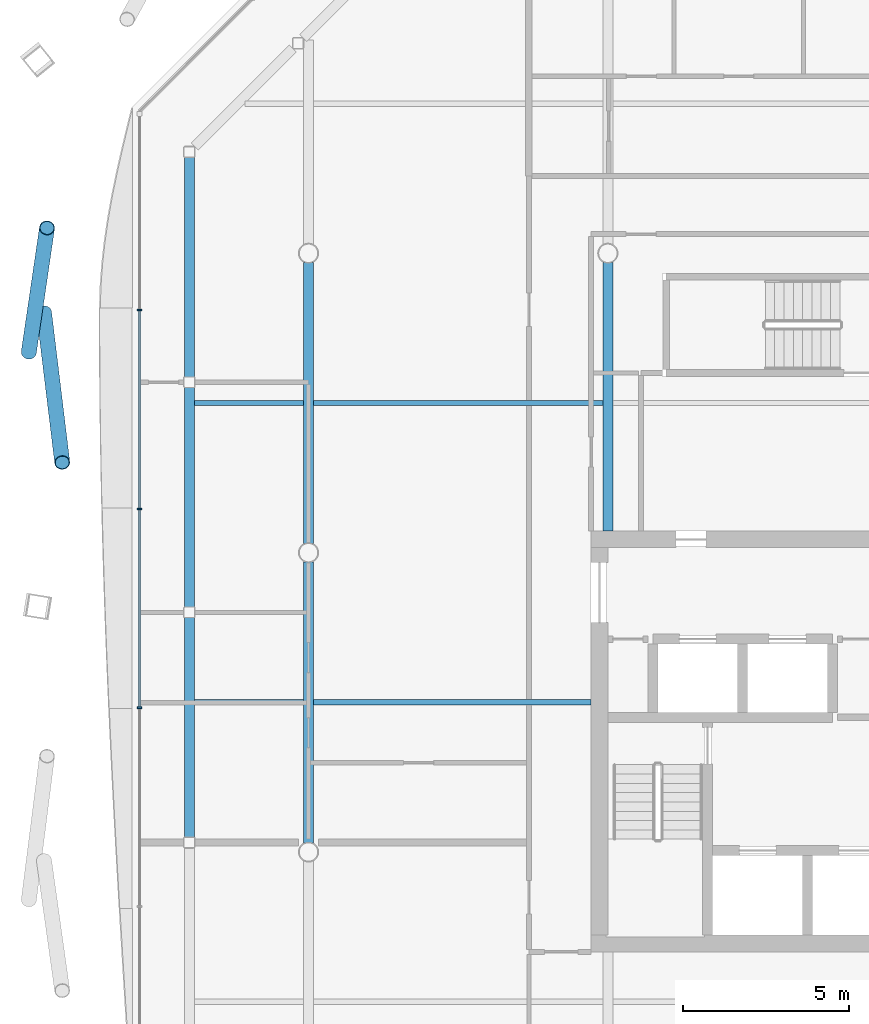
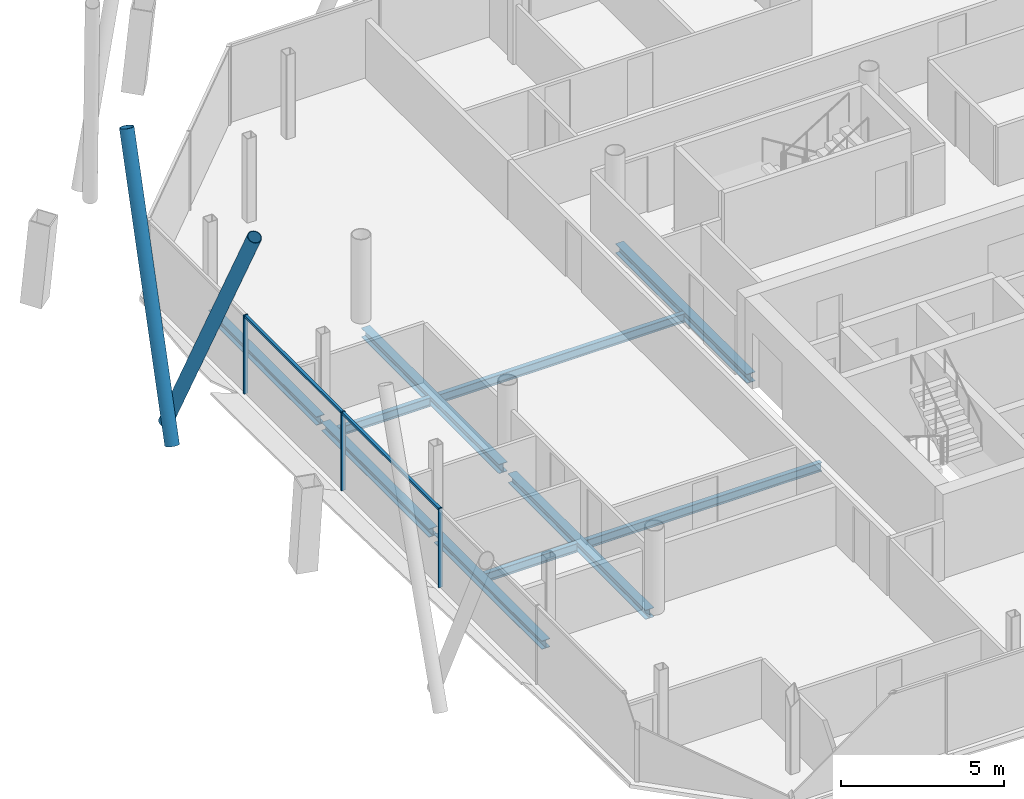
# One storey, part 5 of 19: 10 beams, 7 members, 1 element without a shape of its own.
"""IFC4 building model written with IfcOpenShell, lengths in metres."""

from ifc_helpers import new_model, si_unit, direction, frame, origin, origin_2d, place, context, subcontext, project, spatial, rectangle, hollow_circle, i_section, extrude, material, material_profile, profile_set, type_object, element, aggregate, save


model = new_model("IFC4")

# Units and contexts
model_context = context("Model", 3, precision=1e-05, world=origin(), true_north=direction((0.0, 1.0)))
body_context = subcontext(model_context, "Body", "Model", "MODEL_VIEW")
ifc_project = project(units=[si_unit("LENGTHUNIT", "METRE"), si_unit("AREAUNIT", "SQUARE_METRE"), si_unit("VOLUMEUNIT", "CUBIC_METRE"), si_unit("PLANEANGLEUNIT", "RADIAN"), si_unit("MASSUNIT", "GRAM", prefix="KILO")], contexts=[model_context])

# Site, building, storey
site_placement = place(None, origin())
site = spatial("IfcSite", under=ifc_project, at=site_placement, CompositionType="ELEMENT")
building_placement = place(site_placement, origin())
building = spatial("IfcBuilding", under=site, at=building_placement, Name="Tskaro Facet Tower", CompositionType="ELEMENT")
storey_placement = place(building_placement, frame((0.0, 0.0, 191.10009765625)))
storey = spatial("IfcBuildingStorey", under=building, at=storey_placement, Name="L48", CompositionType="ELEMENT", Elevation=191.10009765625)

# Members
ifc_material_1 = material(Name="Steel S355J2H", Category="steel")
ifc_material_profile_1 = material_profile(ifc_material_1, hollow_circle(Radius=0.228515625, WallThickness=0.02001953125, at=origin_2d()), Name="CHS 457x20")
ifc_profile_set_1 = profile_set([ifc_material_profile_1], Name="Steel S355J2H")
member_type_1 = type_object("IfcMemberType", Name="CHS 457x20 brace", PredefinedType="BRACE", material=ifc_profile_set_1)
member_1_placement = place(storey_placement, frame((-25.951904296875, 7.21142578125, 0.0), z_axis=(0.052242906414, -0.429519142743, 0.901545331498), x_axis=(0.992684007914, 0.120741295469, 0.0)))
element("IfcMember", 1, at=member_1_placement, inside=storey, type_object=member_type_1, Name="CHS 457x20 XB10A/4", PredefinedType="BRACE", context=body_context, shape_type="SweptSolid", body=[
    extrude(hollow_circle(Radius=0.228515625, WallThickness=0.02001953125, at=origin_2d()), origin(), (0.0, 0.0, 1.0), 10.48193359375),
])
member_2_placement = place(storey_placement, frame((-26.408935546875, 6.031494140625, 0.0), z_axis=(0.053817969941, 0.366840366664, 0.928725886092), x_axis=(-0.989409214742, 0.145153042623, 0.0)))
element("IfcMember", 2, at=member_2_placement, inside=storey, type_object=member_type_1, Name="CHS 457x20 XB10B/4", PredefinedType="BRACE", context=body_context, shape_type="SweptSolid", body=[
    extrude(hollow_circle(Radius=0.228515625, WallThickness=0.02001953125, at=origin_2d()), origin(), (0.0, 0.0, 1.0), 10.17529296875),
])

# Curtain wall, members
ifc_material_2 = material(Name="Bronze anodised aluminium 6063-T6", Category="aluminium")
curtain_wall_type = type_object("IfcCurtainWallType", Name="Bronze residence curtain wall (FW3)", PredefinedType="NOTDEFINED", material=ifc_material_2)
curtain_wall_placement = place(storey_placement, origin())
curtain_wall = element("IfcCurtainWall", 3, at=curtain_wall_placement, inside=storey, type_object=curtain_wall_type, Name="FW3 west facet L48", PredefinedType="NOTDEFINED")
ifc_material_profile_2 = material_profile(ifc_material_2, rectangle(XDim=0.050048828125, YDim=0.139892578125, at=origin_2d()), Name="Mullion 50x140")
ifc_profile_set_2 = profile_set([ifc_material_profile_2], Name="Bronze anodised aluminium 6063-T6")
member_type_2 = type_object("IfcMemberType", Name="FW3 bronze mullion 50x140", PredefinedType="MULLION", material=ifc_profile_set_2)
member_3_placement = place(storey_placement, frame((-23.080078125, 7.29248046875, 0.0), z_axis=(0.0, 0.0, 1.0), x_axis=(0.0, -1.0, 0.0)))
member_3 = element("IfcMember", 4, at=member_3_placement, type_object=member_type_2, Name="FW3 west mullion 1", PredefinedType="MULLION", context=body_context, shape_type="SweptSolid", body=[
    extrude(rectangle(XDim=0.050048828125, YDim=0.139892578125, at=origin_2d()), origin(), (0.0, 0.0, 1.0), 2.949951171875),
])
member_4_placement = place(storey_placement, frame((-23.080078125, 1.314697265625, 0.0), z_axis=(0.0, 0.0, 1.0), x_axis=(0.0, -1.0, 0.0)))
member_4 = element("IfcMember", 5, at=member_4_placement, type_object=member_type_2, Name="FW3 west mullion 2", PredefinedType="MULLION", context=body_context, shape_type="SweptSolid", body=[
    extrude(rectangle(XDim=0.050048828125, YDim=0.139892578125, at=origin_2d()), origin(), (0.0, 0.0, 1.0), 2.949951171875),
])
member_5_placement = place(storey_placement, frame((-23.080078125, -4.662841796875, 0.0), z_axis=(0.0, 0.0, 1.0), x_axis=(0.0, -1.0, 0.0)))
member_5 = element("IfcMember", 6, at=member_5_placement, type_object=member_type_2, Name="FW3 west mullion 3", PredefinedType="MULLION", context=body_context, shape_type="SweptSolid", body=[
    extrude(rectangle(XDim=0.050048828125, YDim=0.139892578125, at=origin_2d()), origin(), (0.0, 0.0, 1.0), 2.949951171875),
])
ifc_material_profile_3 = material_profile(ifc_material_2, rectangle(XDim=0.10009765625, YDim=0.090087890625, at=origin_2d()), Name="Transom 100x90")
ifc_profile_set_3 = profile_set([ifc_material_profile_3], Name="Bronze anodised aluminium 6063-T6")
member_type_3 = type_object("IfcMemberType", Name="FW3 bronze transom 100x90", PredefinedType="USERDEFINED", material=ifc_profile_set_3)
member_6_placement = place(storey_placement, frame((-23.080078125, 7.267333984375, 2.90478515625), z_axis=(0.0, -1.0, 0.0), x_axis=(1.0, 0.0, 0.0)))
member_6 = element("IfcMember", 7, at=member_6_placement, type_object=member_type_3, Name="FW3 west transom 2.1", ObjectType="TRANSOM", PredefinedType="USERDEFINED", context=body_context, shape_type="SweptSolid", body=[
    extrude(rectangle(XDim=0.10009765625, YDim=0.090087890625, at=origin_2d()), origin(), (0.0, 0.0, 1.0), 5.927490234375),
])
member_7_placement = place(storey_placement, frame((-23.080078125, 1.289794921875, 2.90478515625), z_axis=(0.0, -1.0, 0.0), x_axis=(1.0, 0.0, 0.0)))
member_7 = element("IfcMember", 8, at=member_7_placement, type_object=member_type_3, Name="FW3 west transom 3.1", ObjectType="TRANSOM", PredefinedType="USERDEFINED", context=body_context, shape_type="SweptSolid", body=[
    extrude(rectangle(XDim=0.10009765625, YDim=0.090087890625, at=origin_2d()), origin(), (0.0, 0.0, 1.0), 5.927490234375),
])
aggregate(curtain_wall, [member_3, member_4, member_5, member_6, member_7])

# Beams
ifc_material_3 = material(Name="Steel S355J2", Category="steel")
ifc_material_profile_4 = material_profile(ifc_material_3, i_section(OverallWidth=0.300048828125, OverallDepth=0.320068359375, WebThickness=0.011474609375, FlangeThickness=0.0205078125, FilletRadius=0.027099609375, at=origin_2d()), Name="HE 320 B")
ifc_profile_set_4 = profile_set([ifc_material_profile_4], Name="Steel S355J2")
beam_type_1 = type_object("IfcBeamType", Name="HE 320 B ring beam", PredefinedType="BEAM", material=ifc_profile_set_4)
beam_1_placement = place(storey_placement, frame((-21.5830078125, 11.89111328125, -0.300048828125), z_axis=(0.0, -1.0, 0.0), x_axis=(1.0, 0.0, 0.0)))
element("IfcBeam", 9, at=beam_1_placement, inside=storey, type_object=beam_type_1, Name="HE 320 B EB17-4", PredefinedType="BEAM", context=body_context, shape_type="SweptSolid", body=[
    extrude(i_section(OverallWidth=0.300048828125, OverallDepth=0.320068359375, WebThickness=0.011474609375, FlangeThickness=0.0205078125, FilletRadius=0.027099609375, at=origin_2d()), origin(), (0.0, 0.0, 1.0), 6.610107421875),
])
beam_2_placement = place(storey_placement, frame((-21.5830078125, 4.970947265625, -0.300048828125), z_axis=(0.0, -1.0, 0.0), x_axis=(1.0, 0.0, 0.0)))
element("IfcBeam", 10, at=beam_2_placement, inside=storey, type_object=beam_type_1, Name="HE 320 B EB18-4", PredefinedType="BEAM", context=body_context, shape_type="SweptSolid", body=[
    extrude(i_section(OverallWidth=0.300048828125, OverallDepth=0.320068359375, WebThickness=0.011474609375, FlangeThickness=0.0205078125, FilletRadius=0.027099609375, at=origin_2d()), origin(), (0.0, 0.0, 1.0), 6.60888671875),
])
beam_3_placement = place(storey_placement, frame((-21.5830078125, -1.947998046875, -0.300048828125), z_axis=(0.0, -1.0, 0.0), x_axis=(1.0, 0.0, 0.0)))
element("IfcBeam", 11, at=beam_3_placement, inside=storey, type_object=beam_type_1, Name="HE 320 B EB19-4", PredefinedType="BEAM", context=body_context, shape_type="SweptSolid", body=[
    extrude(i_section(OverallWidth=0.300048828125, OverallDepth=0.320068359375, WebThickness=0.011474609375, FlangeThickness=0.0205078125, FilletRadius=0.027099609375, at=origin_2d()), origin(), (0.0, 0.0, 1.0), 6.610107421875),
])
ifc_material_profile_5 = material_profile(ifc_material_3, i_section(OverallWidth=0.300048828125, OverallDepth=0.35009765625, WebThickness=0.010009765625, FlangeThickness=0.017578125, FilletRadius=0.027099609375, at=origin_2d()), Name="HE 360 A")
ifc_profile_set_5 = profile_set([ifc_material_profile_5], Name="Steel S355J2")
beam_type_2 = type_object("IfcBeamType", Name="HE 360 A girder", PredefinedType="BEAM", material=ifc_profile_set_5)
for number, where, z_axis, x_axis, name in (
    (12, (-18.0, -8.72509765625, -0.315185546875), (0.0, 1.0, 0.0), (-1.0, 0.0, 0.0), "HE 360 A GB2-2-4"),
    (13, (-18.0, 0.27490234375, -0.315185546875), (0.0, 1.0, 0.0), (-1.0, 0.0, 0.0), "HE 360 A GB2-3-4"),
):
    element("IfcBeam", number, at=place(storey_placement, frame(where, z_axis=z_axis, x_axis=x_axis)), inside=storey, type_object=beam_type_2, Name=name, PredefinedType="BEAM", context=body_context, shape_type="SweptSolid", body=[
        extrude(i_section(OverallWidth=0.300048828125, OverallDepth=0.35009765625, WebThickness=0.010009765625, FlangeThickness=0.017578125, FilletRadius=0.027099609375, at=origin_2d()), origin(), (0.0, 0.0, 1.0), 8.4501953125),
    ])
beam_4_placement = place(storey_placement, frame((-9.0, 0.64990234375, -0.315185546875), z_axis=(0.0, 1.0, 0.0), x_axis=(-1.0, 0.0, 0.0)))
element("IfcBeam", 14, at=beam_4_placement, inside=storey, type_object=beam_type_2, Name="HE 360 A GB3-2-4", PredefinedType="BEAM", context=body_context, shape_type="SweptSolid", body=[
    extrude(i_section(OverallWidth=0.300048828125, OverallDepth=0.35009765625, WebThickness=0.010009765625, FlangeThickness=0.017578125, FilletRadius=0.027099609375, at=origin_2d()), origin(), (0.0, 0.0, 1.0), 8.0751953125),
])
ifc_material_profile_6 = material_profile(ifc_material_3, i_section(OverallWidth=0.159912109375, OverallDepth=0.330078125, WebThickness=0.007568359375, FlangeThickness=0.011474609375, FilletRadius=0.01806640625, at=origin_2d()), Name="IPE 330")
ifc_profile_set_6 = profile_set([ifc_material_profile_6], Name="Steel S355J2")
beam_type_3 = type_object("IfcBeamType", Name="IPE 330 secondary beam", PredefinedType="BEAM", material=ifc_profile_set_6)
beam_5_placement = place(storey_placement, frame((-21.43310546875, -4.5, -0.30517578125), z_axis=(1.0, 0.0, 0.0), x_axis=(0.0, 1.0, 0.0)))
element("IfcBeam", 15, at=beam_5_placement, inside=storey, type_object=beam_type_3, Name="IPE 330 SB3a-1-4", PredefinedType="BEAM", context=body_context, shape_type="SweptSolid", body=[
    extrude(i_section(OverallWidth=0.159912109375, OverallDepth=0.330078125, WebThickness=0.007568359375, FlangeThickness=0.011474609375, FilletRadius=0.01806640625, at=origin_2d()), origin(), (0.0, 0.0, 1.0), 3.283203125),
])
beam_6_placement = place(storey_placement, frame((-17.85009765625, -4.5, -0.30517578125), z_axis=(1.0, 0.0, 0.0), x_axis=(0.0, 1.0, 0.0)))
element("IfcBeam", 16, at=beam_6_placement, inside=storey, type_object=beam_type_3, Name="IPE 330 SB3a-2-4", PredefinedType="BEAM", context=body_context, shape_type="SweptSolid", body=[
    extrude(i_section(OverallWidth=0.159912109375, OverallDepth=0.330078125, WebThickness=0.007568359375, FlangeThickness=0.011474609375, FilletRadius=0.01806640625, at=origin_2d()), origin(), (0.0, 0.0, 1.0), 8.35009765625),
])
beam_7_placement = place(storey_placement, frame((-21.43310546875, 4.5, -0.30517578125), z_axis=(1.0, 0.0, 0.0), x_axis=(0.0, 1.0, 0.0)))
element("IfcBeam", 17, at=beam_7_placement, inside=storey, type_object=beam_type_3, Name="IPE 330 SB4a-1-4", PredefinedType="BEAM", context=body_context, shape_type="SweptSolid", body=[
    extrude(i_section(OverallWidth=0.159912109375, OverallDepth=0.330078125, WebThickness=0.007568359375, FlangeThickness=0.011474609375, FilletRadius=0.01806640625, at=origin_2d()), origin(), (0.0, 0.0, 1.0), 3.283203125),
])
beam_8_placement = place(storey_placement, frame((-17.85009765625, 4.5, -0.30517578125), z_axis=(1.0, 0.0, 0.0), x_axis=(0.0, 1.0, 0.0)))
element("IfcBeam", 18, at=beam_8_placement, inside=storey, type_object=beam_type_3, Name="IPE 330 SB4a-2-4", PredefinedType="BEAM", context=body_context, shape_type="SweptSolid", body=[
    extrude(i_section(OverallWidth=0.159912109375, OverallDepth=0.330078125, WebThickness=0.007568359375, FlangeThickness=0.011474609375, FilletRadius=0.01806640625, at=origin_2d()), origin(), (0.0, 0.0, 1.0), 8.7001953125),
])

save(model, "model.ifc")
